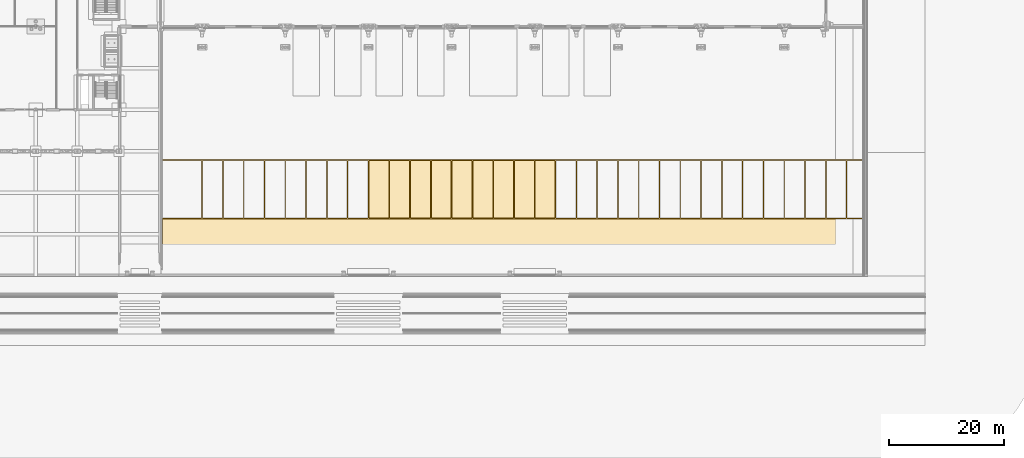
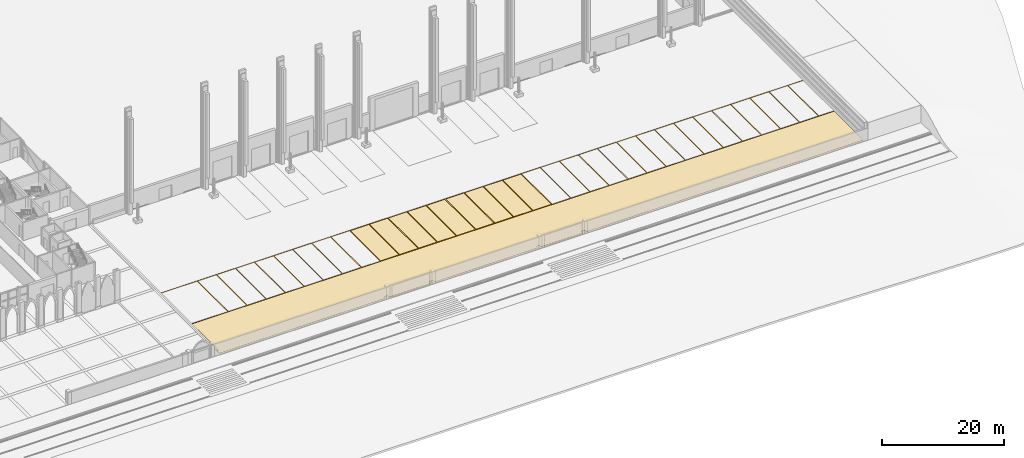
# One storey, part 129 of 148: 11 coverings.
"""IFC4 building model written with IfcOpenShell, lengths in metres."""

from ifc_helpers import new_model, si_unit, direction, origin, place, context, subcontext, project, spatial, polyline, outline, extrude, material, layer, layer_set, type_object, element, save


model = new_model("IFC4")

# Units and contexts
model_context = context("Model", 3, precision=1e-05, world=origin(), true_north=direction((0.0, 1.0)))
body_context = subcontext(model_context, "Body", "Model", "MODEL_VIEW")
ifc_project = project(units=[si_unit("LENGTHUNIT", "METRE"), si_unit("AREAUNIT", "SQUARE_METRE"), si_unit("VOLUMEUNIT", "CUBIC_METRE"), si_unit("PLANEANGLEUNIT", "RADIAN"), si_unit("MASSUNIT", "GRAM", prefix="KILO")], contexts=[model_context])

# Site, building, storey
site_placement = place(None, origin())
site = spatial("IfcSite", under=ifc_project, at=site_placement, CompositionType="ELEMENT")
building_placement = place(site_placement, origin())
building = spatial("IfcBuilding", under=site, at=building_placement, Name="Kupolbacken Congress Centre", CompositionType="ELEMENT")
storey_placement = place(building_placement, origin())
storey = spatial("IfcBuildingStorey", under=building, at=storey_placement, Name="L00", CompositionType="ELEMENT", Elevation=0.0)

# Coverings
ifc_material_1 = material(Name="Limestone cladding", Category="masonry")
ifc_layer_1 = layer(ifc_material_1, 0.02001953125)
ifc_layer_set_1 = layer_set([ifc_layer_1], Name="Limestone cladding")
covering_type_1 = type_object("IfcCoveringType", Name="GF1 limestone paving 20", PredefinedType="FLOORING", material=ifc_layer_set_1)
covering_1_placement = place(storey_placement, origin())
element("IfcCovering", 1, at=covering_1_placement, inside=storey, type_object=covering_type_1, Name="Bay and lane marking", PredefinedType="FLOORING", context=body_context, shape_type="SweptSolid", body=[
    extrude(outline(polyline([(93.52490234375, 20.0), (86.700439453125, 20.0), (86.700439453125, 20.14990234375), (208.110107421875, 20.14990234375), (208.110107421875, 20.0), (205.27490234375, 20.0), (205.27490234375, 10.050048828125), (208.110107421875, 10.050048828125), (208.110107421875, 9.89990234375), (86.700439453125, 9.89990234375), (86.700439453125, 10.050048828125), (93.52490234375, 10.050048828125), (93.52490234375, 20.0)]), holes=[polyline([(201.675048828125, 10.050048828125), (205.125, 10.050048828125), (205.125, 20.0), (201.675048828125, 20.0), (201.675048828125, 10.050048828125)]), polyline([(198.074951171875, 10.050048828125), (201.52490234375, 10.050048828125), (201.52490234375, 20.0), (198.074951171875, 20.0), (198.074951171875, 10.050048828125)]), polyline([(194.47509765625, 10.050048828125), (197.925048828125, 10.050048828125), (197.925048828125, 20.0), (194.47509765625, 20.0), (194.47509765625, 10.050048828125)]), polyline([(190.875, 10.050048828125), (194.324951171875, 10.050048828125), (194.324951171875, 20.0), (190.875, 20.0), (190.875, 10.050048828125)]), polyline([(187.27490234375, 10.050048828125), (190.72509765625, 10.050048828125), (190.72509765625, 20.0), (187.27490234375, 20.0), (187.27490234375, 10.050048828125)]), polyline([(183.675048828125, 10.050048828125), (187.125, 10.050048828125), (187.125, 20.0), (183.675048828125, 20.0), (183.675048828125, 10.050048828125)]), polyline([(180.074951171875, 10.050048828125), (183.52490234375, 10.050048828125), (183.52490234375, 20.0), (180.074951171875, 20.0), (180.074951171875, 10.050048828125)]), polyline([(176.47509765625, 10.050048828125), (179.925048828125, 10.050048828125), (179.925048828125, 20.0), (176.47509765625, 20.0), (176.47509765625, 10.050048828125)]), polyline([(172.875, 10.050048828125), (176.324951171875, 10.050048828125), (176.324951171875, 20.0), (172.875, 20.0), (172.875, 10.050048828125)]), polyline([(169.27490234375, 10.050048828125), (172.72509765625, 10.050048828125), (172.72509765625, 20.0), (169.27490234375, 20.0), (169.27490234375, 10.050048828125)]), polyline([(165.675048828125, 10.050048828125), (169.125, 10.050048828125), (169.125, 20.0), (165.675048828125, 20.0), (165.675048828125, 10.050048828125)]), polyline([(162.074951171875, 10.050048828125), (165.52490234375, 10.050048828125), (165.52490234375, 20.0), (162.074951171875, 20.0), (162.074951171875, 10.050048828125)]), polyline([(158.47509765625, 10.050048828125), (161.925048828125, 10.050048828125), (161.925048828125, 20.0), (158.47509765625, 20.0), (158.47509765625, 10.050048828125)]), polyline([(154.875, 10.050048828125), (158.324951171875, 10.050048828125), (158.324951171875, 20.0), (154.875, 20.0), (154.875, 10.050048828125)]), polyline([(151.27490234375, 10.050048828125), (154.72509765625, 10.050048828125), (154.72509765625, 20.0), (151.27490234375, 20.0), (151.27490234375, 10.050048828125)]), polyline([(147.675048828125, 10.050048828125), (151.125, 10.050048828125), (151.125, 20.0), (147.675048828125, 20.0), (147.675048828125, 10.050048828125)]), polyline([(144.074951171875, 10.050048828125), (147.52490234375, 10.050048828125), (147.52490234375, 20.0), (144.074951171875, 20.0), (144.074951171875, 10.050048828125)]), polyline([(93.675048828125, 20.0), (93.675048828125, 10.050048828125), (97.125, 10.050048828125), (97.125, 20.0), (93.675048828125, 20.0)]), polyline([(97.27490234375, 20.0), (97.27490234375, 10.050048828125), (100.72509765625, 10.050048828125), (100.72509765625, 20.0), (97.27490234375, 20.0)]), polyline([(100.875, 20.0), (100.875, 10.050048828125), (104.324951171875, 10.050048828125), (104.324951171875, 20.0), (100.875, 20.0)]), polyline([(104.47509765625, 20.0), (104.47509765625, 10.050048828125), (107.925048828125, 10.050048828125), (107.925048828125, 20.0), (104.47509765625, 20.0)]), polyline([(108.074951171875, 20.0), (108.074951171875, 10.050048828125), (111.52490234375, 10.050048828125), (111.52490234375, 20.0), (108.074951171875, 20.0)]), polyline([(111.675048828125, 20.0), (111.675048828125, 10.050048828125), (115.125, 10.050048828125), (115.125, 20.0), (111.675048828125, 20.0)]), polyline([(115.27490234375, 20.0), (115.27490234375, 10.050048828125), (118.72509765625, 10.050048828125), (118.72509765625, 20.0), (115.27490234375, 20.0)]), polyline([(118.875, 20.0), (118.875, 10.050048828125), (122.324951171875, 10.050048828125), (122.324951171875, 20.0), (118.875, 20.0)]), polyline([(125.925048828125, 20.0), (122.47509765625, 20.0), (122.47509765625, 10.050048828125), (125.925048828125, 10.050048828125), (125.925048828125, 20.0)]), polyline([(129.52490234375, 20.0), (126.074951171875, 20.0), (126.074951171875, 10.050048828125), (129.52490234375, 10.050048828125), (129.52490234375, 20.0)]), polyline([(133.125, 20.0), (129.675048828125, 20.0), (129.675048828125, 10.050048828125), (133.125, 10.050048828125), (133.125, 20.0)]), polyline([(136.72509765625, 20.0), (133.27490234375, 20.0), (133.27490234375, 10.050048828125), (136.72509765625, 10.050048828125), (136.72509765625, 20.0)]), polyline([(140.324951171875, 20.0), (136.875, 20.0), (136.875, 10.050048828125), (140.324951171875, 10.050048828125), (140.324951171875, 20.0)]), polyline([(143.925048828125, 20.0), (140.47509765625, 20.0), (140.47509765625, 10.050048828125), (143.925048828125, 10.050048828125), (143.925048828125, 20.0)])]), origin(), (0.0, 0.0, 1.0), 0.02001953125),
])
ifc_material_2 = material(Name="Asphalt", Category="masonry")
ifc_layer_2 = layer(ifc_material_2, 0.02001953125)
ifc_layer_set_2 = layer_set([ifc_layer_2], Name="Asphalt")
covering_type_2 = type_object("IfcCoveringType", Name="GF3 asphalt dock hardstanding 20", PredefinedType="FLOORING", material=ifc_layer_set_2)
covering_2_placement = place(storey_placement, origin())
element("IfcCovering", 2, at=covering_2_placement, inside=storey, type_object=covering_type_2, Name="Service yard asphalt hardstanding", PredefinedType="FLOORING", context=body_context, shape_type="SweptSolid", body=[
    extrude(outline(polyline([(208.110107421875, 0.35498046875), (155.830078125, 0.35498046875), (155.830078125, 0.77490234375), (155.802001953125, 0.77490234375), (155.802001953125, 0.866943359375), (155.197998046875, 0.866943359375), (155.197998046875, 0.77490234375), (155.169921875, 0.77490234375), (155.169921875, 0.35498046875), (147.22998046875, 0.35498046875), (147.22998046875, 0.77490234375), (147.201904296875, 0.77490234375), (147.201904296875, 0.866943359375), (146.597900390625, 0.866943359375), (146.597900390625, 0.77490234375), (146.570068359375, 0.77490234375), (146.570068359375, 0.35498046875), (127.030029296875, 0.35498046875), (127.030029296875, 0.77490234375), (127.001953125, 0.77490234375), (127.001953125, 0.866943359375), (126.39794921875, 0.866943359375), (126.39794921875, 0.77490234375), (126.3701171875, 0.77490234375), (126.3701171875, 0.35498046875), (118.429931640625, 0.35498046875), (118.429931640625, 0.77490234375), (118.402099609375, 0.77490234375), (118.402099609375, 0.866943359375), (117.798095703125, 0.866943359375), (117.798095703125, 0.77490234375), (117.77001953125, 0.77490234375), (117.77001953125, 0.35498046875), (86.402587890625, 0.35498046875), (86.402587890625, 1.90234375), (86.49560546875, 1.705810546875), (86.627685546875, 1.336181640625), (86.700439453125, 1.045654296875), (86.700439453125, 9.89990234375), (208.110107421875, 9.89990234375), (208.110107421875, 0.35498046875)])), origin(), (0.0, 0.0, 1.0), 0.02001953125),
])
covering_3_placement = place(storey_placement, origin())
element("IfcCovering", 3, at=covering_3_placement, inside=storey, type_object=covering_type_2, Name="Service yard asphalt hardstanding", PredefinedType="FLOORING", context=body_context, shape_type="SweptSolid", body=[
    extrude(outline(polyline([(151.27490234375, 20.0), (154.72509765625, 20.0), (154.72509765625, 10.050048828125), (151.27490234375, 10.050048828125), (151.27490234375, 20.0)])), origin(), (0.0, 0.0, 1.0), 0.02001953125),
])
covering_4_placement = place(storey_placement, origin())
element("IfcCovering", 4, at=covering_4_placement, inside=storey, type_object=covering_type_2, Name="Service yard asphalt hardstanding", PredefinedType="FLOORING", context=body_context, shape_type="SweptSolid", body=[
    extrude(outline(polyline([(147.675048828125, 20.0), (151.125, 20.0), (151.125, 10.050048828125), (147.675048828125, 10.050048828125), (147.675048828125, 20.0)])), origin(), (0.0, 0.0, 1.0), 0.02001953125),
])
covering_5_placement = place(storey_placement, origin())
element("IfcCovering", 5, at=covering_5_placement, inside=storey, type_object=covering_type_2, Name="Service yard asphalt hardstanding", PredefinedType="FLOORING", context=body_context, shape_type="SweptSolid", body=[
    extrude(outline(polyline([(144.074951171875, 20.0), (147.52490234375, 20.0), (147.52490234375, 10.050048828125), (144.074951171875, 10.050048828125), (144.074951171875, 20.0)])), origin(), (0.0, 0.0, 1.0), 0.02001953125),
])
covering_6_placement = place(storey_placement, origin())
element("IfcCovering", 6, at=covering_6_placement, inside=storey, type_object=covering_type_2, Name="Service yard asphalt hardstanding", PredefinedType="FLOORING", context=body_context, shape_type="SweptSolid", body=[
    extrude(outline(polyline([(125.925048828125, 10.050048828125), (122.47509765625, 10.050048828125), (122.47509765625, 20.0), (125.925048828125, 20.0), (125.925048828125, 10.050048828125)])), origin(), (0.0, 0.0, 1.0), 0.02001953125),
])
covering_7_placement = place(storey_placement, origin())
element("IfcCovering", 7, at=covering_7_placement, inside=storey, type_object=covering_type_2, Name="Service yard asphalt hardstanding", PredefinedType="FLOORING", context=body_context, shape_type="SweptSolid", body=[
    extrude(outline(polyline([(129.52490234375, 10.050048828125), (126.074951171875, 10.050048828125), (126.074951171875, 20.0), (129.52490234375, 20.0), (129.52490234375, 10.050048828125)])), origin(), (0.0, 0.0, 1.0), 0.02001953125),
])
covering_8_placement = place(storey_placement, origin())
element("IfcCovering", 8, at=covering_8_placement, inside=storey, type_object=covering_type_2, Name="Service yard asphalt hardstanding", PredefinedType="FLOORING", context=body_context, shape_type="SweptSolid", body=[
    extrude(outline(polyline([(133.125, 10.050048828125), (129.675048828125, 10.050048828125), (129.675048828125, 20.0), (133.125, 20.0), (133.125, 10.050048828125)])), origin(), (0.0, 0.0, 1.0), 0.02001953125),
])
covering_9_placement = place(storey_placement, origin())
element("IfcCovering", 9, at=covering_9_placement, inside=storey, type_object=covering_type_2, Name="Service yard asphalt hardstanding", PredefinedType="FLOORING", context=body_context, shape_type="SweptSolid", body=[
    extrude(outline(polyline([(136.72509765625, 10.050048828125), (133.27490234375, 10.050048828125), (133.27490234375, 20.0), (136.72509765625, 20.0), (136.72509765625, 10.050048828125)])), origin(), (0.0, 0.0, 1.0), 0.02001953125),
])
covering_10_placement = place(storey_placement, origin())
element("IfcCovering", 10, at=covering_10_placement, inside=storey, type_object=covering_type_2, Name="Service yard asphalt hardstanding", PredefinedType="FLOORING", context=body_context, shape_type="SweptSolid", body=[
    extrude(outline(polyline([(140.324951171875, 10.050048828125), (136.875, 10.050048828125), (136.875, 20.0), (140.324951171875, 20.0), (140.324951171875, 10.050048828125)])), origin(), (0.0, 0.0, 1.0), 0.02001953125),
])
covering_11_placement = place(storey_placement, origin())
element("IfcCovering", 11, at=covering_11_placement, inside=storey, type_object=covering_type_2, Name="Service yard asphalt hardstanding", PredefinedType="FLOORING", context=body_context, shape_type="SweptSolid", body=[
    extrude(outline(polyline([(143.925048828125, 10.050048828125), (140.47509765625, 10.050048828125), (140.47509765625, 20.0), (143.925048828125, 20.0), (143.925048828125, 10.050048828125)])), origin(), (0.0, 0.0, 1.0), 0.02001953125),
])

save(model, "model.ifc")
